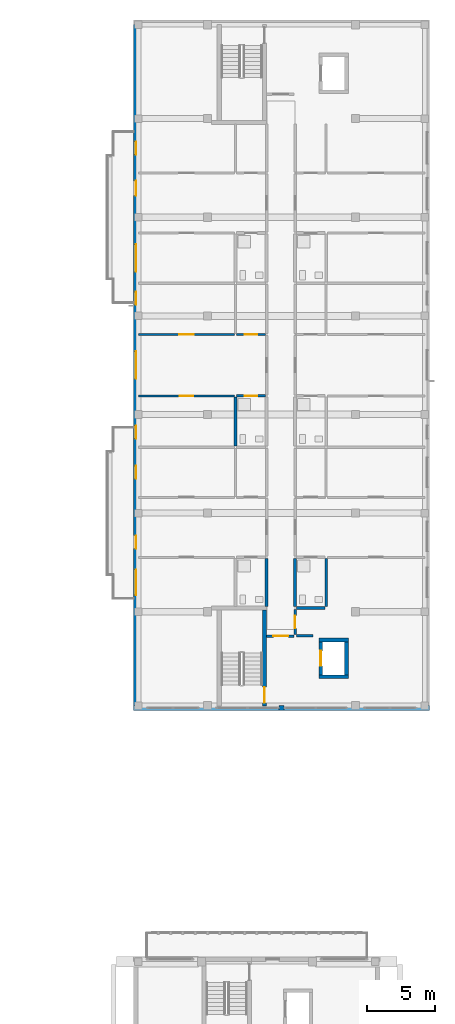
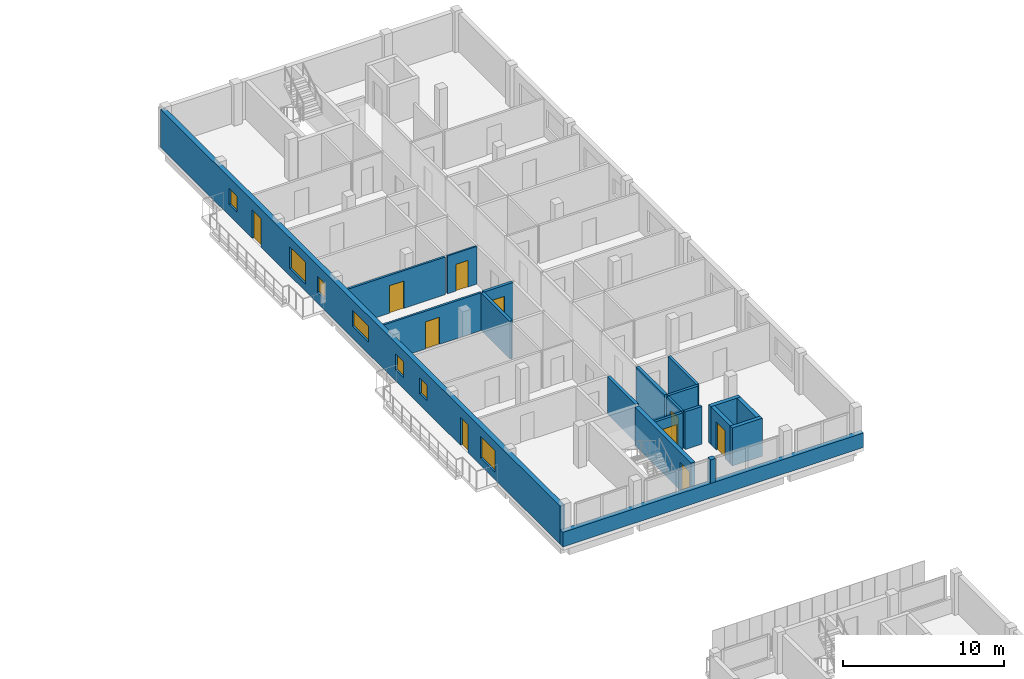
# One storey, part 23 of 41: 20 walls, 10 doors, 7 windows, 17 openings.
"""IFC4 building model written with IfcOpenShell, lengths in metres."""

from ifc_helpers import new_model, si_unit, derived_unit, direction, frame, frame_2d, origin, place, context, subcontext, project, spatial, rectangle, extrude, material, layer, layer_set, type_object, element, fill, save


model = new_model("IFC4")

# Units and contexts
model_context = context("Model", 3, precision=1e-05, world=origin(), true_north=direction((0.0, 1.0)))
body_context = subcontext(model_context, "Body", "Model", "MODEL_VIEW")
ifc_project = project(units=[si_unit("LENGTHUNIT", "METRE"), si_unit("AREAUNIT", "SQUARE_METRE"), si_unit("VOLUMEUNIT", "CUBIC_METRE"), si_unit("PLANEANGLEUNIT", "RADIAN"), si_unit("MASSUNIT", "GRAM", prefix="KILO"), derived_unit("THERMALTRANSMITTANCEUNIT", [(si_unit("MASSUNIT", "GRAM", prefix="KILO"), 1), (si_unit("TIMEUNIT", "SECOND"), -3), (si_unit("THERMODYNAMICTEMPERATUREUNIT", "KELVIN"), -1)])], contexts=[model_context])

# Site, building, storey
site_placement = place(None, origin())
site = spatial("IfcSite", under=ifc_project, at=site_placement, CompositionType="ELEMENT")
building_placement = place(site_placement, origin())
building = spatial("IfcBuilding", under=site, at=building_placement, Name="Ochrekiln Boulevard Commons", CompositionType="ELEMENT")
storey_placement = place(building_placement, frame((0.0, 0.0, 21.52490234375)))
storey = spatial("IfcBuildingStorey", under=building, at=storey_placement, Name="L06", CompositionType="ELEMENT", Elevation=21.52490234375)

# Wall, openings, doors, windows
ifc_material_1 = material(Name="Iron-spot brown clinker brick masonry ASTM C216 Grade SW", Category="masonry")
ifc_layer_1 = layer(ifc_material_1, 0.340087890625)
ifc_layer_set_1 = layer_set([ifc_layer_1], Name="Iron-spot brown clinker brick masonry ASTM C216 Grade SW")
wall_type_1 = type_object("IfcWallType", Name="WL-EXT-IRON-340", PredefinedType="SOLIDWALL", material=ifc_layer_set_1)
wall_1_placement = place(storey_placement, frame((151.3701171875, 68.739990234375, 0.0), z_axis=(0.0, 0.0, 1.0), x_axis=(0.0, 1.0, 0.0)))
wall_1 = element("IfcWall", 1, at=wall_1_placement, inside=storey, type_object=wall_type_1, Name="Block B L06 W Exterior Wall", PredefinedType="SOLIDWALL", context=body_context, shape_type="SweptSolid", body=[
    extrude(rectangle(XDim=49.719970703125, YDim=0.340087890625, at=frame_2d((24.85986328125, 0.0))), origin(), (0.0, 0.0, 1.0), 2.89013671875),
])
opening_1_placement = place(wall_1_placement, frame((11.4619140625, 0.0, 0.0)))
opening_1 = element("IfcOpeningElement", 2, at=opening_1_placement, cuts=wall_1, Name="Opening D-L06-BL031", PredefinedType="OPENING", context=body_context, shape_type="SweptSolid", body=[
    extrude(rectangle(XDim=0.949951171875, YDim=2.14990234375, at=frame_2d((0.47509765625, 1.074951171875))), frame((0.0, 0.179931640625, 0.0), z_axis=(0.0, -1.0, 0.0), x_axis=(1.0, 0.0, 0.0)), (0.0, 0.0, 1.0), 0.360107421875),
])
opening_2_placement = place(wall_1_placement, frame((8.08203125, 0.0, 0.554931640625)))
opening_2 = element("IfcOpeningElement", 3, at=opening_2_placement, cuts=wall_1, Name="Opening W-44", PredefinedType="OPENING", context=body_context, shape_type="SweptSolid", body=[
    extrude(rectangle(XDim=1.85009765625, YDim=1.64990234375, at=frame_2d((0.925048828125, 0.824951171875))), frame((0.0, 0.179931640625, 0.0), z_axis=(0.0, -1.0, 0.0), x_axis=(1.0, 0.0, 0.0)), (0.0, 0.0, 1.0), 0.360107421875),
])
opening_3_placement = place(wall_1_placement, frame((16.56494140625, 0.0, 0.85009765625)))
opening_3 = element("IfcOpeningElement", 4, at=opening_3_placement, cuts=wall_1, Name="Opening W-01", PredefinedType="OPENING", context=body_context, shape_type="SweptSolid", body=[
    extrude(rectangle(XDim=0.949951171875, YDim=1.199951171875, at=frame_2d((0.47509765625, 0.60009765625))), frame((0.0, 0.179931640625, 0.0), z_axis=(0.0, -1.0, 0.0), x_axis=(1.0, 0.0, 0.0)), (0.0, 0.0, 1.0), 0.360107421875),
])
opening_4_placement = place(wall_1_placement, frame((23.860107421875, 0.0, 0.89990234375)))
opening_4 = element("IfcOpeningElement", 5, at=opening_4_placement, cuts=wall_1, Name="Opening W-46", PredefinedType="OPENING", context=body_context, shape_type="SweptSolid", body=[
    extrude(rectangle(XDim=2.0, YDim=1.199951171875, at=frame_2d((1.0, 0.60009765625))), frame((0.0, 0.179931640625, 0.0), z_axis=(0.0, -1.0, 0.0), x_axis=(1.0, 0.0, 0.0)), (0.0, 0.0, 1.0), 0.360107421875),
])
opening_5_placement = place(wall_1_placement, frame((19.5029296875, 0.0, 0.85009765625)))
opening_5 = element("IfcOpeningElement", 6, at=opening_5_placement, cuts=wall_1, Name="Opening W-01", PredefinedType="OPENING", context=body_context, shape_type="SweptSolid", body=[
    extrude(rectangle(XDim=0.949951171875, YDim=1.199951171875, at=frame_2d((0.47509765625, 0.60009765625))), frame((0.0, 0.179931640625, 0.0), z_axis=(0.0, -1.0, 0.0), x_axis=(1.0, 0.0, 0.0)), (0.0, 0.0, 1.0), 0.360107421875),
])
opening_6_placement = place(wall_1_placement, frame((29.26708984375, 0.0, 0.85009765625)))
opening_6 = element("IfcOpeningElement", 7, at=opening_6_placement, cuts=wall_1, Name="Opening W-01", PredefinedType="OPENING", context=body_context, shape_type="SweptSolid", body=[
    extrude(rectangle(XDim=0.949951171875, YDim=1.199951171875, at=frame_2d((0.47509765625, 0.60009765625))), frame((0.0, 0.179931640625, 0.0), z_axis=(0.0, -1.0, 0.0), x_axis=(1.0, 0.0, 0.0)), (0.0, 0.0, 1.0), 0.360107421875),
])
opening_7_placement = place(wall_1_placement, frame((37.242919921875, 0.0, 0.0)))
opening_7 = element("IfcOpeningElement", 8, at=opening_7_placement, cuts=wall_1, Name="Opening D-L06-BL032", PredefinedType="OPENING", context=body_context, shape_type="SweptSolid", body=[
    extrude(rectangle(XDim=1.080078125, YDim=2.179931640625, at=frame_2d((0.5400390625, 1.08984375))), frame((0.0, 0.179931640625, 0.0), z_axis=(0.0, -1.0, 0.0), x_axis=(1.0, 0.0, 0.0)), (0.0, 0.0, 1.0), 0.360107421875),
])
opening_8_placement = place(wall_1_placement, frame((31.680908203125, 0.0, 0.554931640625)))
opening_8 = element("IfcOpeningElement", 9, at=opening_8_placement, cuts=wall_1, Name="Opening W-49", PredefinedType="OPENING", context=body_context, shape_type="SweptSolid", body=[
    extrude(rectangle(XDim=2.0, YDim=1.64990234375, at=frame_2d((1.0, 0.824951171875))), frame((0.0, 0.179931640625, 0.0), z_axis=(0.0, -1.0, 0.0), x_axis=(1.0, 0.0, 0.0)), (0.0, 0.0, 1.0), 0.360107421875),
])
opening_9_placement = place(wall_1_placement, frame((40.239013671875, 0.0, 0.85009765625)))
opening_9 = element("IfcOpeningElement", 10, at=opening_9_placement, cuts=wall_1, Name="Opening W-01", PredefinedType="OPENING", context=body_context, shape_type="SweptSolid", body=[
    extrude(rectangle(XDim=0.949951171875, YDim=1.199951171875, at=frame_2d((0.47509765625, 0.60009765625))), frame((0.0, 0.179931640625, 0.0), z_axis=(0.0, -1.0, 0.0), x_axis=(1.0, 0.0, 0.0)), (0.0, 0.0, 1.0), 0.360107421875),
])
ifc_material_2 = material(Name="Thermally broken aluminium-clad oak frame", Category="aluminium")
door_type_1 = type_object("IfcDoorType", Name="DR-EXT-BAL-095", OperationType="NOTDEFINED", PredefinedType="DOOR", material=ifc_material_2)
door_1_placement = place(opening_1_placement, origin())
door_1 = element("IfcDoor", 11, at=door_1_placement, inside=storey, type_object=door_type_1, Name="Block B L06 Glazed Balcony Patio Door", OperationType="SINGLE_SWING_RIGHT", OverallHeight=2.14990234375, OverallWidth=0.949951171875, PredefinedType="DOOR", context=body_context, shape_type="SweptSolid", body=[
    extrude(rectangle(XDim=0.949951171875, YDim=2.14990234375, at=frame_2d((0.47509765625, 1.074951171875))), frame((0.0, 0.02490234375, 0.0), z_axis=(0.0, -1.0, 0.0), x_axis=(1.0, 0.0, 0.0)), (0.0, 0.0, 1.0), 0.050048828125),
])
fill(opening_1, door_1)
door_type_2 = type_object("IfcDoorType", Name="DR-EXT-BAL-108", OperationType="NOTDEFINED", PredefinedType="DOOR", material=ifc_material_2)
door_2_placement = place(opening_7_placement, origin())
door_2 = element("IfcDoor", 12, at=door_2_placement, inside=storey, type_object=door_type_2, Name="Block B L06 Glazed Balcony Patio Door", OperationType="SINGLE_SWING_LEFT", OverallHeight=2.179931640625, OverallWidth=1.080078125, PredefinedType="DOOR", context=body_context, shape_type="SweptSolid", body=[
    extrude(rectangle(XDim=1.080078125, YDim=2.179931640625, at=frame_2d((0.5400390625, 1.08984375))), frame((0.0, 0.02490234375, 0.0), z_axis=(0.0, -1.0, 0.0), x_axis=(1.0, 0.0, 0.0)), (0.0, 0.0, 1.0), 0.050048828125),
])
fill(opening_7, door_2)
window_type_1 = type_object("IfcWindowType", Name="WIN-EXT-01", PartitioningType="SINGLE_PANEL", PredefinedType="WINDOW", material=ifc_material_2)
window_1_placement = place(opening_3_placement, origin())
window_1 = element("IfcWindow", 13, at=window_1_placement, inside=storey, type_object=window_type_1, Name="Block B L06 Punched Masonry Window W-01", OverallHeight=1.199951171875, OverallWidth=0.949951171875, PartitioningType="SINGLE_PANEL", PredefinedType="WINDOW", context=body_context, shape_type="SweptSolid", body=[
    extrude(rectangle(XDim=0.949951171875, YDim=1.199951171875, at=frame_2d((0.47509765625, 0.60009765625))), frame((0.0, 0.030029296875, 0.0), z_axis=(0.0, -1.0, 0.0), x_axis=(1.0, 0.0, 0.0)), (0.0, 0.0, 1.0), 0.06005859375),
])
fill(opening_3, window_1)
window_2_placement = place(opening_5_placement, origin())
window_2 = element("IfcWindow", 14, at=window_2_placement, inside=storey, type_object=window_type_1, Name="Block B L06 Punched Masonry Window W-01", OverallHeight=1.199951171875, OverallWidth=0.949951171875, PartitioningType="SINGLE_PANEL", PredefinedType="WINDOW", context=body_context, shape_type="SweptSolid", body=[
    extrude(rectangle(XDim=0.949951171875, YDim=1.199951171875, at=frame_2d((0.47509765625, 0.60009765625))), frame((0.0, 0.030029296875, 0.0), z_axis=(0.0, -1.0, 0.0), x_axis=(1.0, 0.0, 0.0)), (0.0, 0.0, 1.0), 0.06005859375),
])
fill(opening_5, window_2)
window_3_placement = place(opening_6_placement, origin())
window_3 = element("IfcWindow", 15, at=window_3_placement, inside=storey, type_object=window_type_1, Name="Block B L06 Punched Masonry Window W-01", OverallHeight=1.199951171875, OverallWidth=0.949951171875, PartitioningType="SINGLE_PANEL", PredefinedType="WINDOW", context=body_context, shape_type="SweptSolid", body=[
    extrude(rectangle(XDim=0.949951171875, YDim=1.199951171875, at=frame_2d((0.47509765625, 0.60009765625))), frame((0.0, 0.030029296875, 0.0), z_axis=(0.0, -1.0, 0.0), x_axis=(1.0, 0.0, 0.0)), (0.0, 0.0, 1.0), 0.06005859375),
])
fill(opening_6, window_3)
window_4_placement = place(opening_9_placement, origin())
window_4 = element("IfcWindow", 16, at=window_4_placement, inside=storey, type_object=window_type_1, Name="Block B L06 Punched Masonry Window W-01", OverallHeight=1.199951171875, OverallWidth=0.949951171875, PartitioningType="SINGLE_PANEL", PredefinedType="WINDOW", context=body_context, shape_type="SweptSolid", body=[
    extrude(rectangle(XDim=0.949951171875, YDim=1.199951171875, at=frame_2d((0.47509765625, 0.60009765625))), frame((0.0, 0.030029296875, 0.0), z_axis=(0.0, -1.0, 0.0), x_axis=(1.0, 0.0, 0.0)), (0.0, 0.0, 1.0), 0.06005859375),
])
fill(opening_9, window_4)
window_type_2 = type_object("IfcWindowType", Name="WIN-EXT-44", PartitioningType="DOUBLE_PANEL_VERTICAL", PredefinedType="WINDOW", material=ifc_material_2)
window_5_placement = place(opening_2_placement, origin())
window_5 = element("IfcWindow", 17, at=window_5_placement, inside=storey, type_object=window_type_2, Name="Block B L06 Punched Masonry Window W-44", OverallHeight=1.64990234375, OverallWidth=1.85009765625, PartitioningType="DOUBLE_PANEL_VERTICAL", PredefinedType="WINDOW", context=body_context, shape_type="SweptSolid", body=[
    extrude(rectangle(XDim=1.85009765625, YDim=1.64990234375, at=frame_2d((0.925048828125, 0.824951171875))), frame((0.0, 0.030029296875, 0.0), z_axis=(0.0, -1.0, 0.0), x_axis=(1.0, 0.0, 0.0)), (0.0, 0.0, 1.0), 0.06005859375),
])
fill(opening_2, window_5)
window_type_3 = type_object("IfcWindowType", Name="WIN-EXT-46", PartitioningType="DOUBLE_PANEL_VERTICAL", PredefinedType="WINDOW", material=ifc_material_2)
window_6_placement = place(opening_4_placement, origin())
window_6 = element("IfcWindow", 18, at=window_6_placement, inside=storey, type_object=window_type_3, Name="Block B L06 Punched Masonry Window W-46", OverallHeight=1.199951171875, OverallWidth=2.0, PartitioningType="DOUBLE_PANEL_VERTICAL", PredefinedType="WINDOW", context=body_context, shape_type="SweptSolid", body=[
    extrude(rectangle(XDim=2.0, YDim=1.199951171875, at=frame_2d((1.0, 0.60009765625))), frame((0.0, 0.030029296875, 0.0), z_axis=(0.0, -1.0, 0.0), x_axis=(1.0, 0.0, 0.0)), (0.0, 0.0, 1.0), 0.06005859375),
])
fill(opening_4, window_6)
window_type_4 = type_object("IfcWindowType", Name="WIN-EXT-49", PartitioningType="DOUBLE_PANEL_VERTICAL", PredefinedType="WINDOW", material=ifc_material_2)
window_7_placement = place(opening_8_placement, origin())
window_7 = element("IfcWindow", 19, at=window_7_placement, inside=storey, type_object=window_type_4, Name="Block B L06 Punched Masonry Window W-49", OverallHeight=1.64990234375, OverallWidth=2.0, PartitioningType="DOUBLE_PANEL_VERTICAL", PredefinedType="WINDOW", context=body_context, shape_type="SweptSolid", body=[
    extrude(rectangle(XDim=2.0, YDim=1.64990234375, at=frame_2d((1.0, 0.824951171875))), frame((0.0, 0.030029296875, 0.0), z_axis=(0.0, -1.0, 0.0), x_axis=(1.0, 0.0, 0.0)), (0.0, 0.0, 1.0), 0.06005859375),
])
fill(opening_8, window_7)

# Walls
wall_2_placement = place(storey_placement, frame((151.199951171875, 68.570068359375, 0.0), z_axis=(0.0, 0.0, 1.0), x_axis=(1.0, 0.0, 0.0)))
element("IfcWall", 20, at=wall_2_placement, inside=storey, type_object=wall_type_1, Name="Block B L06 Courtyard Gable Sill Wall", PredefinedType="SOLIDWALL", context=body_context, shape_type="SweptSolid", body=[
    extrude(rectangle(XDim=21.60009765625, YDim=0.340087890625, at=frame_2d((10.800048828125, 0.0))), origin(), (0.0, 0.0, 1.0), 1.110107421875),
])
wall_3_placement = place(storey_placement, frame((161.820068359375, 68.570068359375, 1.110107421875), z_axis=(0.0, 0.0, 1.0), x_axis=(1.0, 0.0, 0.0)))
element("IfcWall", 21, at=wall_3_placement, inside=storey, type_object=wall_type_1, Name="Block B L06 Courtyard Gable Mullion Pier", PredefinedType="SOLIDWALL", context=body_context, shape_type="SweptSolid", body=[
    extrude(rectangle(XDim=0.35986328125, YDim=0.340087890625, at=frame_2d((0.179931640625, 0.0))), origin(), (0.0, 0.0, 1.0), 1.780029296875),
])
ifc_material_3 = material(Name="Moisture-resistant cementitious tile backer wall")
ifc_layer_2 = layer(ifc_material_3, 0.199951171875)
ifc_layer_set_2 = layer_set([ifc_layer_2], Name="Moisture-resistant cementitious tile backer wall")
wall_type_2 = type_object("IfcWallType", Name="WL-PLM-200", PredefinedType="PLUMBINGWALL", material=ifc_layer_set_2)
wall_4_placement = place(storey_placement, frame((163.072998046875, 75.875, 0.0), z_axis=(0.0, 0.0, 1.0), x_axis=(1.0, 0.0, 0.0)))
element("IfcWall", 22, at=wall_4_placement, inside=storey, type_object=wall_type_2, Name="L06 Interior Wall W-PW200", PredefinedType="PLUMBINGWALL", context=body_context, shape_type="SweptSolid", body=[
    extrude(rectangle(XDim=2.10693359375, YDim=0.199951171875, at=frame_2d((1.053466796875, 0.0))), origin(), (0.0, 0.0, 1.0), 2.8701171875),
])

# Wall, opening, door
wall_5_placement = place(storey_placement, frame((158.719970703125, 91.360107421875, 0.0), z_axis=(0.0, 0.0, 1.0), x_axis=(1.0, 0.0, 0.0)))
wall_5 = element("IfcWall", 23, at=wall_5_placement, inside=storey, type_object=wall_type_2, Name="L06 Interior Wall W-PW200", PredefinedType="PLUMBINGWALL", context=body_context, shape_type="SweptSolid", body=[
    extrude(rectangle(XDim=2.10693359375, YDim=0.199951171875, at=frame_2d((1.053466796875, 0.0))), origin(), (0.0, 0.0, 1.0), 2.8701171875),
])
opening_10_placement = place(wall_5_placement, frame((0.60498046875, 0.0, 0.0)))
opening_10 = element("IfcOpeningElement", 24, at=opening_10_placement, cuts=wall_5, Name="Opening D-L06-824", PredefinedType="OPENING", context=body_context, shape_type="SweptSolid", body=[
    extrude(rectangle(XDim=0.889892578125, YDim=2.030029296875, at=frame_2d((0.44482421875, 1.01513671875))), frame((0.0, 0.10986328125, 0.0), z_axis=(0.0, -1.0, 0.0), x_axis=(1.0, 0.0, 0.0)), (0.0, 0.0, 1.0), 0.219970703125),
])
ifc_material_4 = material(Name="Solid core architectural oak door leaf")
door_type_3 = type_object("IfcDoorType", Name="DR-INT-BTH-089", OperationType="NOTDEFINED", PredefinedType="DOOR", material=ifc_material_4)
door_3_placement = place(opening_10_placement, frame((0.889892578125, 0.0, 0.0), z_axis=(0.0, 0.0, 1.0), x_axis=(-1.0, 0.0, 0.0)))
door_3 = element("IfcDoor", 25, at=door_3_placement, inside=storey, type_object=door_type_3, Name="L06 Interior Door to Apartment Bathroom", OperationType="SINGLE_SWING_RIGHT", OverallHeight=2.030029296875, OverallWidth=0.889892578125, PredefinedType="DOOR", context=body_context, shape_type="SweptSolid", body=[
    extrude(rectangle(XDim=0.889892578125, YDim=2.030029296875, at=frame_2d((0.44482421875, 1.01513671875))), frame((0.0, 0.02490234375, 0.0), z_axis=(0.0, -1.0, 0.0), x_axis=(1.0, 0.0, 0.0)), (0.0, 0.0, 1.0), 0.050048828125),
])
fill(opening_10, door_3)

# Walls
wall_6_placement = place(storey_placement, frame((158.639892578125, 87.7060546875, 0.0), z_axis=(0.0, 0.0, 1.0), x_axis=(0.0, 1.0, 0.0)))
element("IfcWall", 26, at=wall_6_placement, inside=storey, type_object=wall_type_2, Name="L06 Interior Wall W-PW200", PredefinedType="PLUMBINGWALL", context=body_context, shape_type="SweptSolid", body=[
    extrude(rectangle(XDim=3.573974609375, YDim=0.199951171875, at=frame_2d((1.787109375, 0.0))), origin(), (0.0, 0.0, 1.0), 2.8701171875),
])
wall_7_placement = place(storey_placement, frame((165.260009765625, 75.97509765625, 0.0), z_axis=(0.0, 0.0, 1.0), x_axis=(0.0, 1.0, 0.0)))
element("IfcWall", 27, at=wall_7_placement, inside=storey, type_object=wall_type_2, Name="L06 Interior Wall W-PW200", PredefinedType="PLUMBINGWALL", context=body_context, shape_type="SweptSolid", body=[
    extrude(rectangle(XDim=3.517822265625, YDim=0.199951171875, at=frame_2d((1.7587890625, 0.0))), origin(), (0.0, 0.0, 1.0), 2.8701171875),
])
ifc_layer_3 = layer(ifc_material_3, 0.219970703125)
ifc_layer_set_3 = layer_set([ifc_layer_3], Name="Moisture-resistant cementitious tile backer wall")
wall_type_3 = type_object("IfcWallType", Name="WL-PLM-220", PredefinedType="PLUMBINGWALL", material=ifc_layer_set_3)
wall_8_placement = place(storey_placement, frame((160.909912109375, 76.0, 0.0), z_axis=(0.0, 0.0, 1.0), x_axis=(0.0, 1.0, 0.0)))
element("IfcWall", 28, at=wall_8_placement, inside=storey, type_object=wall_type_3, Name="L06 Interior Wall W-PW220", PredefinedType="PLUMBINGWALL", context=body_context, shape_type="SweptSolid", body=[
    extrude(rectangle(XDim=3.492919921875, YDim=0.219970703125, at=frame_2d((1.74658203125, 0.0))), origin(), (0.0, 0.0, 1.0), 2.8701171875),
])
wall_9_placement = place(storey_placement, frame((162.989990234375, 75.97509765625, 0.0), z_axis=(0.0, 0.0, 1.0), x_axis=(0.0, 1.0, 0.0)))
element("IfcWall", 29, at=wall_9_placement, inside=storey, type_object=wall_type_3, Name="L06 Interior Wall W-PW220", PredefinedType="PLUMBINGWALL", context=body_context, shape_type="SweptSolid", body=[
    extrude(rectangle(XDim=3.517822265625, YDim=0.219970703125, at=frame_2d((1.7587890625, 0.0))), origin(), (0.0, 0.0, 1.0), 2.8701171875),
])

# Wall, opening, door
ifc_material_5 = material(Name="Fire-rated Type X gypsum board on steel studs", Category="steel")
ifc_layer_4 = layer(ifc_material_5, 0.1650390625)
ifc_layer_set_4 = layer_set([ifc_layer_4], Name="Fire-rated Type X gypsum board on steel studs")
wall_type_4 = type_object("IfcWallType", Name="WL-PT-CORR-165", PredefinedType="PARTITIONING", material=ifc_layer_set_4)
wall_10_placement = place(storey_placement, frame((162.989990234375, 73.929931640625, 0.0), z_axis=(0.0, 0.0, 1.0), x_axis=(0.0, 1.0, 0.0)))
wall_10 = element("IfcWall", 30, at=wall_10_placement, inside=storey, type_object=wall_type_4, Name="L06 Interior Wall W-PC165", PredefinedType="PARTITIONING", context=body_context, shape_type="SweptSolid", body=[
    extrude(rectangle(XDim=1.820068359375, YDim=0.1650390625, at=frame_2d((0.91015625, 0.0))), origin(), (0.0, 0.0, 1.0), 2.8701171875),
])
opening_11_placement = place(wall_10_placement, frame((0.4599609375, 0.0, 0.0)))
opening_11 = element("IfcOpeningElement", 31, at=opening_11_placement, cuts=wall_10, Name="Opening D-L06-813", PredefinedType="OPENING", context=body_context, shape_type="SweptSolid", body=[
    extrude(rectangle(XDim=0.919921875, YDim=2.0400390625, at=frame_2d((0.4599609375, 1.02001953125))), frame((0.0, 0.092529296875, 0.0), z_axis=(0.0, -1.0, 0.0), x_axis=(1.0, 0.0, 0.0)), (0.0, 0.0, 1.0), 0.18505859375),
])
ifc_material_6 = material(Name="Hollow metal fire-rated steel door assembly", Category="steel")
door_type_4 = type_object("IfcDoorType", Name="DR-SRV-90", OperationType="NOTDEFINED", PredefinedType="DOOR", material=ifc_material_6)
door_4_placement = place(opening_11_placement, frame((0.919921875, 0.0, 0.0), z_axis=(0.0, 0.0, 1.0), x_axis=(-1.0, 0.0, 0.0)))
door_4 = element("IfcDoor", 32, at=door_4_placement, inside=storey, type_object=door_type_4, Name="L06 Interior Door to Hydronic and Electrical Riser Room", OperationType="SINGLE_SWING_LEFT", OverallHeight=2.0400390625, OverallWidth=0.919921875, PredefinedType="DOOR", context=body_context, shape_type="SweptSolid", body=[
    extrude(rectangle(XDim=0.919921875, YDim=2.0400390625, at=frame_2d((0.4599609375, 1.02001953125))), frame((0.0, 0.02490234375, 0.0), z_axis=(0.0, -1.0, 0.0), x_axis=(1.0, 0.0, 0.0)), (0.0, 0.0, 1.0), 0.050048828125),
])
fill(opening_11, door_4)

# Wall
ifc_layer_5 = layer(ifc_material_5, 0.18994140625)
ifc_layer_set_5 = layer_set([ifc_layer_5], Name="Fire-rated Type X gypsum board on steel studs")
wall_type_5 = type_object("IfcWallType", Name="WL-PT-LBY-190", PredefinedType="PARTITIONING", material=ifc_layer_set_5)
wall_11_placement = place(storey_placement, frame((163.080078125, 73.8349609375, 0.0), z_axis=(0.0, 0.0, 1.0), x_axis=(1.0, 0.0, 0.0)))
element("IfcWall", 33, at=wall_11_placement, inside=storey, type_object=wall_type_5, Name="L06 Interior Wall W-PL190", PredefinedType="PARTITIONING", context=body_context, shape_type="SweptSolid", body=[
    extrude(rectangle(XDim=1.219970703125, YDim=0.18994140625, at=frame_2d((0.60986328125, 0.0))), origin(), (0.0, 0.0, 1.0), 2.8701171875),
])

# Wall, opening, door
wall_12_placement = place(storey_placement, frame((160.89990234375, 73.820068359375, 0.0), z_axis=(0.0, 0.0, 1.0), x_axis=(1.0, 0.0, 0.0)))
wall_12 = element("IfcWall", 34, at=wall_12_placement, inside=storey, type_object=wall_type_5, Name="L06 Interior Wall W-PL190", PredefinedType="PARTITIONING", context=body_context, shape_type="SweptSolid", body=[
    extrude(rectangle(XDim=2.0, YDim=0.18994140625, at=frame_2d((1.0, 0.0))), origin(), (0.0, 0.0, 1.0), 2.8701171875),
])
opening_12_placement = place(wall_12_placement, frame((0.5, 0.0, 0.0)))
opening_12 = element("IfcOpeningElement", 35, at=opening_12_placement, cuts=wall_12, Name="Opening D-L06-811", PredefinedType="OPENING", context=body_context, shape_type="SweptSolid", body=[
    extrude(rectangle(XDim=1.10009765625, YDim=2.1201171875, at=frame_2d((0.550048828125, 1.06005859375))), frame((0.0, 0.10498046875, 0.0), z_axis=(0.0, -1.0, 0.0), x_axis=(1.0, 0.0, 0.0)), (0.0, 0.0, 1.0), 0.2099609375),
])
door_type_5 = type_object("IfcDoorType", Name="DR-LOBBY-60", OperationType="NOTDEFINED", PredefinedType="DOOR", material=ifc_material_6)
door_5_placement = place(opening_12_placement, frame((1.10009765625, 0.0, 0.0), z_axis=(0.0, 0.0, 1.0), x_axis=(-1.0, 0.0, 0.0)))
door_5 = element("IfcDoor", 36, at=door_5_placement, inside=storey, type_object=door_type_5, Name="L06 Interior Door to Fire Service Access Elevator Lobby", OperationType="SINGLE_SWING_LEFT", OverallHeight=2.1201171875, OverallWidth=1.10009765625, PredefinedType="DOOR", context=body_context, shape_type="SweptSolid", body=[
    extrude(rectangle(XDim=1.10009765625, YDim=2.1201171875, at=frame_2d((0.550048828125, 1.06005859375))), frame((0.0, 0.02490234375, 0.0), z_axis=(0.0, -1.0, 0.0), x_axis=(1.0, 0.0, 0.0)), (0.0, 0.0, 1.0), 0.050048828125),
])
fill(opening_12, door_5)

ifc_layer_6 = layer(ifc_material_5, 0.1201171875)
ifc_layer_set_6 = layer_set([ifc_layer_6], Name="Fire-rated Type X gypsum board on steel studs")
wall_type_6 = type_object("IfcWallType", Name="WL-PT-LGT-120", PredefinedType="PARTITIONING", material=ifc_layer_set_6)
wall_13_placement = place(storey_placement, frame((158.719970703125, 95.840087890625, 0.0), z_axis=(0.0, 0.0, 1.0), x_axis=(1.0, 0.0, 0.0)))
wall_13 = element("IfcWall", 37, at=wall_13_placement, inside=storey, type_object=wall_type_6, Name="L06 Interior Wall W-PL120", PredefinedType="PARTITIONING", context=body_context, shape_type="SweptSolid", body=[
    extrude(rectangle(XDim=2.10693359375, YDim=0.1201171875, at=frame_2d((1.053466796875, 0.0))), origin(), (0.0, 0.0, 1.0), 2.8701171875),
])
opening_13_placement = place(wall_13_placement, frame((0.610107421875, 0.0, 0.0)))
opening_13 = element("IfcOpeningElement", 38, at=opening_13_placement, cuts=wall_13, Name="Opening D-L06-825", PredefinedType="OPENING", context=body_context, shape_type="SweptSolid", body=[
    extrude(rectangle(XDim=0.8798828125, YDim=2.02001953125, at=frame_2d((0.43994140625, 1.010009765625))), frame((0.0, 0.070068359375, 0.0), z_axis=(0.0, -1.0, 0.0), x_axis=(1.0, 0.0, 0.0)), (0.0, 0.0, 1.0), 0.14013671875),
])
door_type_6 = type_object("IfcDoorType", Name="DR-INT-KIT-088", OperationType="NOTDEFINED", PredefinedType="DOOR", material=ifc_material_4)
door_6_placement = place(opening_13_placement, origin())
door_6 = element("IfcDoor", 39, at=door_6_placement, inside=storey, type_object=door_type_6, Name="L06 Interior Door to Apartment Kitchen", OperationType="SINGLE_SWING_LEFT", OverallHeight=2.02001953125, OverallWidth=0.8798828125, PredefinedType="DOOR", context=body_context, shape_type="SweptSolid", body=[
    extrude(rectangle(XDim=0.8798828125, YDim=2.02001953125, at=frame_2d((0.43994140625, 1.010009765625))), frame((0.0, 0.02490234375, 0.0), z_axis=(0.0, -1.0, 0.0), x_axis=(1.0, 0.0, 0.0)), (0.0, 0.0, 1.0), 0.050048828125),
])
fill(opening_13, door_6)

ifc_layer_7 = layer(ifc_material_5, 0.14990234375)
ifc_layer_set_7 = layer_set([ifc_layer_7], Name="Fire-rated Type X gypsum board on steel studs")
wall_type_7 = type_object("IfcWallType", Name="WL-PT-STD-150", PredefinedType="PARTITIONING", material=ifc_layer_set_7)
wall_14_placement = place(storey_placement, frame((151.5400390625, 91.360107421875, 0.0), z_axis=(0.0, 0.0, 1.0), x_axis=(1.0, 0.0, 0.0)))
wall_14 = element("IfcWall", 40, at=wall_14_placement, inside=storey, type_object=wall_type_7, Name="L06 Interior Wall W-PS150", PredefinedType="PARTITIONING", context=body_context, shape_type="SweptSolid", body=[
    extrude(rectangle(XDim=7.02001953125, YDim=0.14990234375, at=frame_2d((3.510009765625, 0.0))), origin(), (0.0, 0.0, 1.0), 2.8701171875),
])
opening_14_placement = place(wall_14_placement, frame((3.014892578125, 0.0, 0.0)))
opening_14 = element("IfcOpeningElement", 41, at=opening_14_placement, cuts=wall_14, Name="Opening D-L06-826", PredefinedType="OPENING", context=body_context, shape_type="SweptSolid", body=[
    extrude(rectangle(XDim=1.0, YDim=2.06005859375, at=frame_2d((0.5, 1.030029296875))), frame((0.0, 0.0849609375, 0.0), z_axis=(0.0, -1.0, 0.0), x_axis=(1.0, 0.0, 0.0)), (0.0, 0.0, 1.0), 0.169921875),
])
door_type_7 = type_object("IfcDoorType", Name="DR-INT-BED-100", OperationType="NOTDEFINED", PredefinedType="DOOR", material=ifc_material_4)
door_7_placement = place(opening_14_placement, frame((1.0, 0.0, 0.0), z_axis=(0.0, 0.0, 1.0), x_axis=(-1.0, 0.0, 0.0)))
door_7 = element("IfcDoor", 42, at=door_7_placement, inside=storey, type_object=door_type_7, Name="L06 Interior Door to Primary Apartment Bedroom", OperationType="SINGLE_SWING_RIGHT", OverallHeight=2.06005859375, OverallWidth=1.0, PredefinedType="DOOR", context=body_context, shape_type="SweptSolid", body=[
    extrude(rectangle(XDim=1.0, YDim=2.06005859375, at=frame_2d((0.5, 1.030029296875))), frame((0.0, 0.02490234375, 0.0), z_axis=(0.0, -1.0, 0.0), x_axis=(1.0, 0.0, 0.0)), (0.0, 0.0, 1.0), 0.050048828125),
])
fill(opening_14, door_7)

wall_15_placement = place(storey_placement, frame((151.5400390625, 95.840087890625, 0.0), z_axis=(0.0, 0.0, 1.0), x_axis=(1.0, 0.0, 0.0)))
wall_15 = element("IfcWall", 43, at=wall_15_placement, inside=storey, type_object=wall_type_7, Name="L06 Interior Wall W-PS150", PredefinedType="PARTITIONING", context=body_context, shape_type="SweptSolid", body=[
    extrude(rectangle(XDim=7.02001953125, YDim=0.14990234375, at=frame_2d((3.510009765625, 0.0))), origin(), (0.0, 0.0, 1.0), 2.8701171875),
])
opening_15_placement = place(wall_15_placement, frame((2.9951171875, 0.0, 0.0)))
opening_15 = element("IfcOpeningElement", 44, at=opening_15_placement, cuts=wall_15, Name="Opening D-L06-827", PredefinedType="OPENING", context=body_context, shape_type="SweptSolid", body=[
    extrude(rectangle(XDim=1.0400390625, YDim=2.080078125, at=frame_2d((0.52001953125, 1.0400390625))), frame((0.0, 0.0849609375, 0.0), z_axis=(0.0, -1.0, 0.0), x_axis=(1.0, 0.0, 0.0)), (0.0, 0.0, 1.0), 0.169921875),
])
door_type_8 = type_object("IfcDoorType", Name="DR-INT-BED-104", OperationType="NOTDEFINED", PredefinedType="DOOR", material=ifc_material_4)
door_8_placement = place(opening_15_placement, origin())
door_8 = element("IfcDoor", 45, at=door_8_placement, inside=storey, type_object=door_type_8, Name="L06 Interior Door to Secondary Apartment Bedroom", OperationType="SINGLE_SWING_LEFT", OverallHeight=2.080078125, OverallWidth=1.0400390625, PredefinedType="DOOR", context=body_context, shape_type="SweptSolid", body=[
    extrude(rectangle(XDim=1.0400390625, YDim=2.080078125, at=frame_2d((0.52001953125, 1.0400390625))), frame((0.0, 0.02490234375, 0.0), z_axis=(0.0, -1.0, 0.0), x_axis=(1.0, 0.0, 0.0)), (0.0, 0.0, 1.0), 0.050048828125),
])
fill(opening_15, door_8)

# Walls
ifc_material_7 = material(Name="Concrete C40/50", Category="concrete")
ifc_layer_8 = layer(ifc_material_7, 0.27490234375)
ifc_layer_set_8 = layer_set([ifc_layer_8], Name="Concrete C40/50")
wall_type_8 = type_object("IfcWallType", Name="WL-SH-275", PredefinedType="SHEAR", material=ifc_layer_set_8)
for number, where, z_axis, x_axis, name in (
    (46, (164.72509765625, 70.862548828125, 0.0), (0.0, 0.0, 1.0), (1.0, 0.0, 0.0), "Elevator FF-B1 L06 Hoistway Shear Wall"),
    (47, (164.72509765625, 73.53759765625, 0.0), (0.0, 0.0, 1.0), (1.0, 0.0, 0.0), "Elevator FF-B1 L06 Hoistway Shear Wall"),
):
    element("IfcWall", number, at=place(storey_placement, frame(where, z_axis=z_axis, x_axis=x_axis)), inside=storey, type_object=wall_type_8, Name=name, PredefinedType="SHEAR", context=body_context, shape_type="SweptSolid", body=[
        extrude(rectangle(XDim=2.14990234375, YDim=0.27490234375, at=frame_2d((1.074951171875, 0.0))), origin(), (0.0, 0.0, 1.0), 2.89013671875),
    ])

# Wall, opening, door
wall_16_placement = place(storey_placement, frame((164.862548828125, 71.0, 0.0), z_axis=(0.0, 0.0, 1.0), x_axis=(0.0, 1.0, 0.0)))
wall_16 = element("IfcWall", 48, at=wall_16_placement, inside=storey, type_object=wall_type_8, Name="Elevator FF-B1 L06 Hoistway Shear Wall", PredefinedType="SHEAR", context=body_context, shape_type="SweptSolid", body=[
    extrude(rectangle(XDim=2.39990234375, YDim=0.27490234375, at=frame_2d((1.199951171875, 0.0))), origin(), (0.0, 0.0, 1.0), 2.89013671875),
])
opening_16_placement = place(wall_16_placement, frame((0.64990234375, 0.0, 0.0)))
opening_16 = element("IfcOpeningElement", 49, at=opening_16_placement, cuts=wall_16, Name="Opening LD-FF-B1-L06", PredefinedType="OPENING", context=body_context, shape_type="SweptSolid", body=[
    extrude(rectangle(XDim=1.10009765625, YDim=2.14990234375, at=frame_2d((0.550048828125, 1.074951171875))), frame((0.0, 0.1474609375, 0.0), z_axis=(0.0, -1.0, 0.0), x_axis=(1.0, 0.0, 0.0)), (0.0, 0.0, 1.0), 0.294921875),
])
ifc_material_8 = material(Name="Brushed stainless steel 316 elevator cab and doors", Category="steel")
door_type_9 = type_object("IfcDoorType", Name="DR-LIFT-LD90", OperationType="SLIDING_TO_LEFT", PredefinedType="DOOR", material=ifc_material_8)
door_9_placement = place(opening_16_placement, origin())
door_9 = element("IfcDoor", 50, at=door_9_placement, inside=storey, type_object=door_type_9, Name="Elevator FF-B1 L06 Sliding Landing Door LD-FF-B1-L06", OperationType="SLIDING_TO_LEFT", OverallHeight=2.14990234375, OverallWidth=1.10009765625, PredefinedType="DOOR", context=body_context, shape_type="SweptSolid", body=[
    extrude(rectangle(XDim=1.10009765625, YDim=2.14990234375, at=frame_2d((0.550048828125, 1.074951171875))), frame((0.0, 0.02490234375, 0.0), z_axis=(0.0, -1.0, 0.0), x_axis=(1.0, 0.0, 0.0)), (0.0, 0.0, 1.0), 0.050048828125),
])
fill(opening_16, door_9)

# Wall
wall_17_placement = place(storey_placement, frame((166.737548828125, 71.0, 0.0), z_axis=(0.0, 0.0, 1.0), x_axis=(0.0, 1.0, 0.0)))
element("IfcWall", 51, at=wall_17_placement, inside=storey, type_object=wall_type_8, Name="Elevator FF-B1 L06 Hoistway Shear Wall", PredefinedType="SHEAR", context=body_context, shape_type="SweptSolid", body=[
    extrude(rectangle(XDim=2.39990234375, YDim=0.27490234375, at=frame_2d((1.199951171875, 0.0))), origin(), (0.0, 0.0, 1.0), 2.89013671875),
])

# Wall, opening, door
ifc_layer_9 = layer(ifc_material_7, 0.300048828125)
ifc_layer_set_9 = layer_set([ifc_layer_9], Name="Concrete C40/50")
wall_type_9 = type_object("IfcWallType", Name="WL-SH-300", PredefinedType="SHEAR", material=ifc_layer_set_9)
wall_18_placement = place(storey_placement, frame((160.75, 68.719970703125, 0.0), z_axis=(0.0, 0.0, 1.0), x_axis=(0.0, 1.0, 0.0)))
wall_18 = element("IfcWall", 52, at=wall_18_placement, inside=storey, type_object=wall_type_9, Name="Stair ST-B1 L06 Core Shear Wall E", PredefinedType="SHEAR", context=body_context, shape_type="SweptSolid", body=[
    extrude(rectangle(XDim=7.0, YDim=0.300048828125, at=frame_2d((3.5, 0.0))), origin(), (0.0, 0.0, 1.0), 2.89013671875),
])
opening_17_placement = place(wall_18_placement, frame((0.22509765625, 0.0, 0.0)))
opening_17 = element("IfcOpeningElement", 53, at=opening_17_placement, cuts=wall_18, Name="Opening D-L06-ST-B1", PredefinedType="OPENING", context=body_context, shape_type="SweptSolid", body=[
    extrude(rectangle(XDim=1.14990234375, YDim=2.1201171875, at=frame_2d((0.574951171875, 1.06005859375))), frame((0.0, 0.159912109375, 0.0), z_axis=(0.0, -1.0, 0.0), x_axis=(1.0, 0.0, 0.0)), (0.0, 0.0, 1.0), 0.320068359375),
])
door_type_10 = type_object("IfcDoorType", Name="DR-STAIR-90", OperationType="NOTDEFINED", PredefinedType="DOOR", material=ifc_material_6)
door_10_placement = place(opening_17_placement, origin())
door_10 = element("IfcDoor", 54, at=door_10_placement, inside=storey, type_object=door_type_10, Name="Enclosed Exit Stair ST-B1 L06 Rated Door", OperationType="SINGLE_SWING_RIGHT", OverallHeight=2.1201171875, OverallWidth=1.14990234375, PredefinedType="DOOR", context=body_context, shape_type="SweptSolid", body=[
    extrude(rectangle(XDim=1.14990234375, YDim=2.1201171875, at=frame_2d((0.574951171875, 1.06005859375))), frame((0.0, 0.02490234375, 0.0), z_axis=(0.0, -1.0, 0.0), x_axis=(1.0, 0.0, 0.0)), (0.0, 0.0, 1.0), 0.050048828125),
])
fill(opening_17, door_10)

save(model, "model.ifc")
